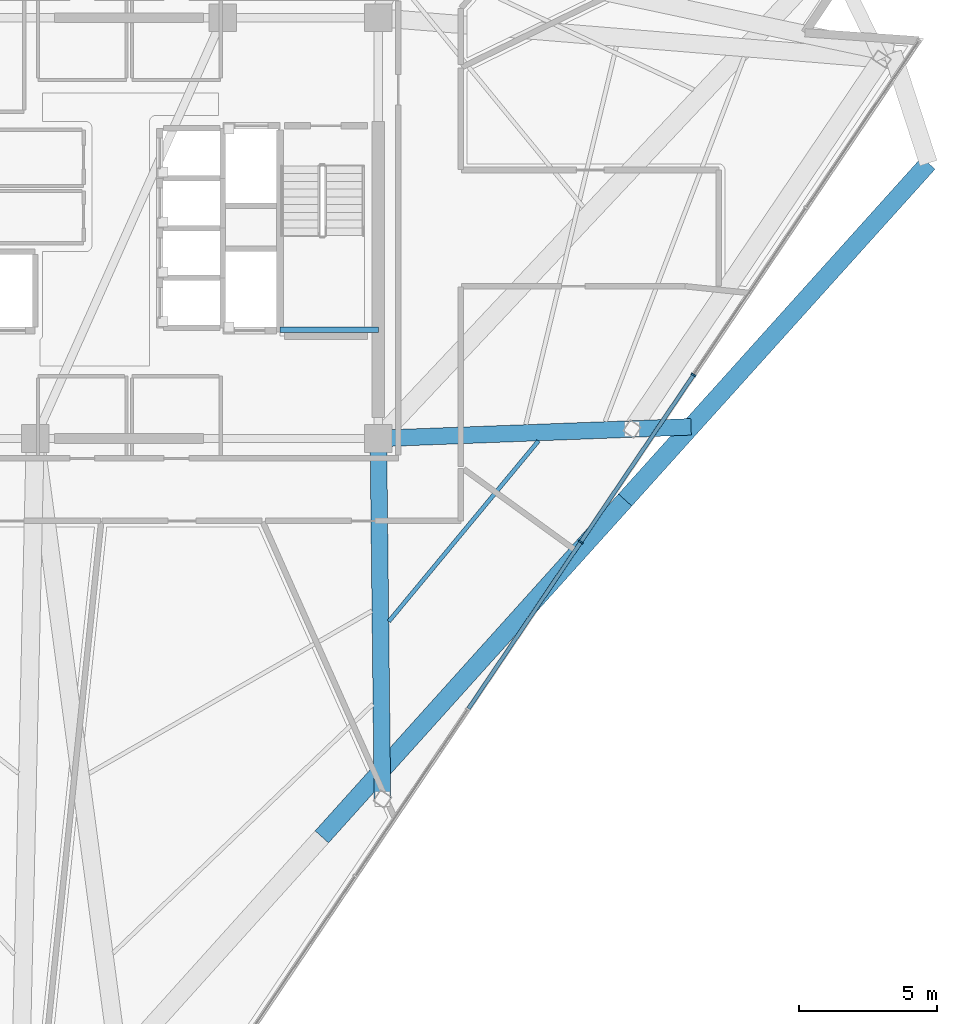
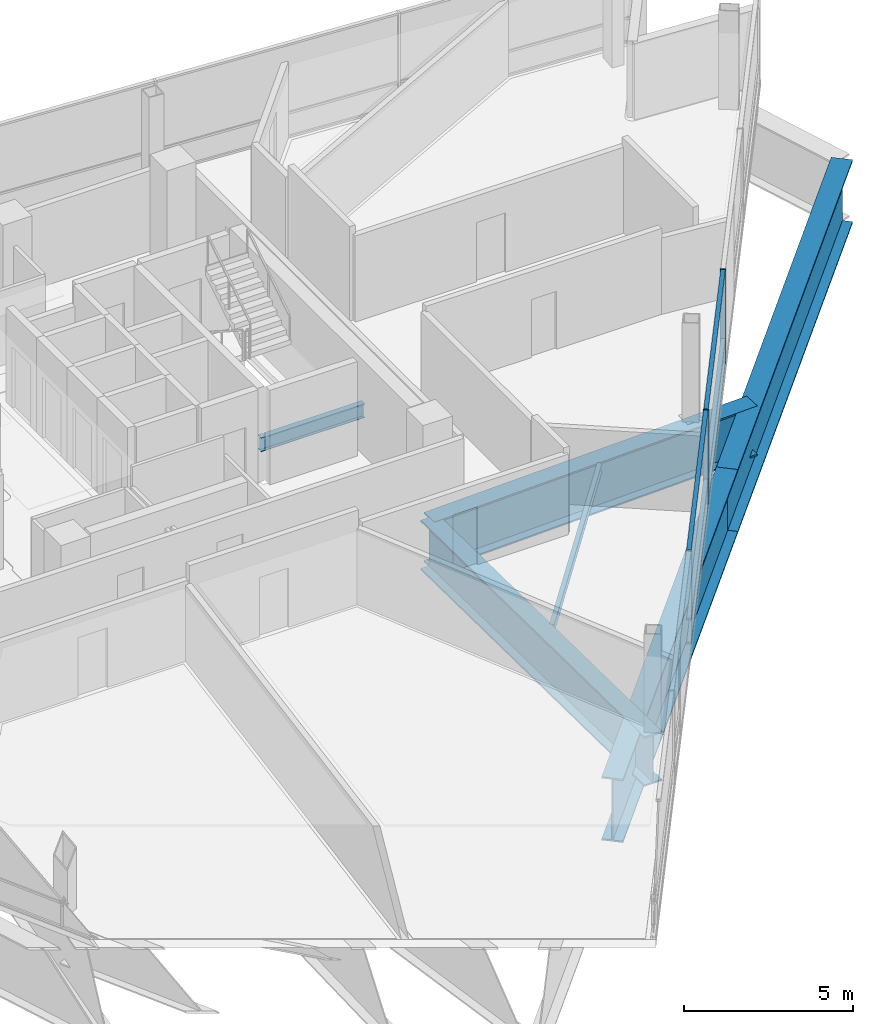
# One storey, part 4 of 14: 8 members, 6 beams, 1 element without a shape of its own.
"""IFC4 building model written with IfcOpenShell, lengths in metres."""

import ifcopenshell
import ifcopenshell.guid

model = None  # the IFC model being written
_history = None  # IfcOwnerHistory: only IFC2X3 demands one
_inside = {}  # id of a spatial element -> (the spatial element, [elements in it])
_under = {}  # id of a project, library or spatial element -> (it, [spatial elements below it])
_declared = {}  # id of a project -> (the project, [libraries it declares])
_typed = {}  # id of a type object -> (the type object, [elements of that type])
_made_of = {}  # id of a material, layer set ... -> (it, [elements and type objects made of it])


def new_model(schema):
    """Start an empty IFC model of exactly this schema.

    Asked for "IFC4X3", IfcOpenShell would pick the latest addendum, in which some entities
    have other attributes; the version numbers below select the first issue.
    IFC2X3 requires an IfcOwnerHistory on every rooted entity: one is made here for all.
    """
    global model, _history
    if schema == "IFC4X3":
        model = ifcopenshell.file(schema_version=(4, 3, 0, 0))
    else:
        model = ifcopenshell.file(schema=schema)
    _inside.clear()
    _under.clear()
    _declared.clear()
    _typed.clear()
    _made_of.clear()
    _history = None
    if model.schema == "IFC2X3":
        org = make("IfcOrganization", Name="unknown")
        user = make(
            "IfcPersonAndOrganization",
            ThePerson=make("IfcPerson", FamilyName="unknown"),
            TheOrganization=org,
        )
        app = make(
            "IfcApplication",
            ApplicationDeveloper=org,
            Version="unknown",
            ApplicationFullName="unknown",
            ApplicationIdentifier="unknown",
        )
        _history = make(
            "IfcOwnerHistory",
            OwningUser=user,
            OwningApplication=app,
            ChangeAction="ADDED",
            CreationDate=0,
        )
    return model


def make(cls, **values):
    """One entity of the class cls with the attributes given. An attribute that is None is left unset."""
    return model.create_entity(
        cls, **{name: value for name, value in values.items() if value is not None}
    )


def rooted(cls, **values):
    """An entity with a GlobalId (a new one), such as an element, a storey or a relation."""
    return make(cls, GlobalId=ifcopenshell.guid.new(), OwnerHistory=_history, **values)


def si_unit(unit_type, name, prefix=None):
    """IfcSIUnit, for example si_unit("LENGTHUNIT", "METRE", prefix="MILLI")."""
    return make("IfcSIUnit", UnitType=unit_type, Prefix=prefix, Name=name)


def assignment(units):
    """IfcUnitAssignment: the units of a project."""
    return None if units is None else make("IfcUnitAssignment", Units=units)


def point(xyz):
    """IfcCartesianPoint."""
    return None if xyz is None else make("IfcCartesianPoint", Coordinates=xyz)


def direction(xyz):
    """IfcDirection."""
    return None if xyz is None else make("IfcDirection", DirectionRatios=xyz)


def frame(location, z_axis=None, x_axis=None):
    """IfcAxis2Placement3D, a coordinate frame: its origin and axes. An axis left out is left unset."""
    return make(
        "IfcAxis2Placement3D",
        Location=point(location),
        Axis=direction(z_axis),
        RefDirection=direction(x_axis),
    )


def frame_2d(location, x_axis=None):
    """IfcAxis2Placement2D, a coordinate frame in the plane: its origin and x axis."""
    return make(
        "IfcAxis2Placement2D", Location=point(location), RefDirection=direction(x_axis)
    )


def origin():
    """The frame at (0, 0, 0) with its axes left unset."""
    return frame((0.0, 0.0, 0.0))


def origin_2d():
    """The frame at (0, 0) in the plane with its x axis left unset."""
    return frame_2d((0.0, 0.0))


def place(relative_to, where):
    """IfcLocalPlacement: puts the frame where relative to a parent placement (None: the world)."""
    return make(
        "IfcLocalPlacement", PlacementRelTo=relative_to, RelativePlacement=where
    )


def context(
    kind, dimensions, precision=None, world=None, true_north=None, identifier=None
):
    """IfcGeometricRepresentationContext, for example the 3D "Model" context."""
    return make(
        "IfcGeometricRepresentationContext",
        ContextIdentifier=identifier,
        ContextType=kind,
        CoordinateSpaceDimension=dimensions,
        Precision=precision,
        WorldCoordinateSystem=world,
        TrueNorth=true_north,
    )


def subcontext(parent, identifier, kind, view, scale=None):
    """IfcGeometricRepresentationSubContext, for example "Body" below "Model"."""
    return make(
        "IfcGeometricRepresentationSubContext",
        ContextIdentifier=identifier,
        ContextType=kind,
        ParentContext=parent,
        TargetScale=scale,
        TargetView=view,
    )


def project(units=None, contexts=None):
    """IfcProject with its units and contexts."""
    return rooted(
        "IfcProject",
        Name="project",
        RepresentationContexts=contexts,
        UnitsInContext=assignment(units),
    )


def spatial(cls, under=None, at=None, **own):
    """A site, building, storey or space (cls), placed at a placement, below another one or the project."""
    s = rooted(cls, ObjectPlacement=at, **own)
    if under is not None:
        _under.setdefault(under.id(), (under, []))[1].append(s)
    return s


def profile(cls, at=None, kind="AREA", **sizes):
    """A parametric profile (cls). Its sizes go by their IFC names, for example OverallWidth=200.0."""
    return make(cls, ProfileType=kind, Position=at, **sizes)


def rectangle(**sizes):
    """IfcRectangleProfileDef."""
    return profile("IfcRectangleProfileDef", **sizes)


def i_section(**sizes):
    """IfcIShapeProfileDef."""
    return profile("IfcIShapeProfileDef", **sizes)


def extrude(swept, where, along, depth):
    """IfcExtrudedAreaSolid: the profile swept, set in the frame where, extruded along a direction by depth."""
    return make(
        "IfcExtrudedAreaSolid",
        SweptArea=swept,
        Position=where,
        ExtrudedDirection=direction(along),
        Depth=depth,
    )


def shape(context_of_items, identifier, shape_type, items):
    """IfcShapeRepresentation: the items that make up one representation, for example the "Body"."""
    return make(
        "IfcShapeRepresentation",
        ContextOfItems=context_of_items,
        RepresentationIdentifier=identifier,
        RepresentationType=shape_type,
        Items=items,
    )


def material(Name=None, Category=None):
    """IfcMaterial."""
    return make("IfcMaterial", Name=Name, Category=Category)


def layer(
    of_material, thickness, ventilated=None, Name=None, Category=None, Priority=None
):
    """IfcMaterialLayer: one layer of a wall or slab, of a material (None: an air gap)."""
    return make(
        "IfcMaterialLayer",
        Material=of_material,
        LayerThickness=thickness,
        IsVentilated=ventilated,
        Name=Name,
        Category=Category,
        Priority=Priority,
    )


def layer_set(layers, Name=None):
    """IfcMaterialLayerSet."""
    return make("IfcMaterialLayerSet", MaterialLayers=layers, LayerSetName=Name)


def material_profile(
    of_material, cross_section, Name=None, Category=None, Priority=None
):
    """IfcMaterialProfile: a cross section and its material."""
    return make(
        "IfcMaterialProfile",
        Name=Name,
        Material=of_material,
        Profile=cross_section,
        Priority=Priority,
        Category=Category,
    )


def profile_set(profiles, Name=None, composite=None):
    """IfcMaterialProfileSet."""
    return make(
        "IfcMaterialProfileSet",
        Name=Name,
        MaterialProfiles=profiles,
        CompositeProfile=composite,
    )


def made_of(thing, what):
    """Note that an element or type object is made of a material, layer set ...; save() writes the relation."""
    if what is not None:
        _made_of.setdefault(what.id(), (what, []))[1].append(thing)
    return thing


def type_object(cls, material=None, **own):
    """A type object (cls), such as IfcWallType, which elements share."""
    return made_of(rooted(cls, **own), material)


def element(
    cls,
    number,
    at=None,
    inside=None,
    cuts=None,
    type_object=None,
    material=None,
    context=None,
    identifier="Body",
    shape_type=None,
    held_by="IfcProductDefinitionShape",
    body=None,
    shapes=None,
    **own,
):
    """One element of the class cls, such as IfcWall. Its Tag is "e" and its number.

    at: its placement. inside: the storey or other place that contains it. cuts: it is an
    opening in that element (IfcRelVoidsElement). A single representation is given by context,
    identifier, shape_type and body (its items); several are given by shapes. held_by: the class
    of the entity that holds the representations. save() writes the other relations.
    """
    e = rooted(cls, Tag="e%d" % number, ObjectPlacement=at, **own)
    if body is not None:
        shapes = [shape(context, identifier, shape_type, body)]
    if shapes is not None:
        e.Representation = make(held_by, Representations=shapes)
    if inside is not None:
        _inside.setdefault(inside.id(), (inside, []))[1].append(e)
    if cuts is not None:
        rooted(
            "IfcRelVoidsElement", RelatingBuildingElement=cuts, RelatedOpeningElement=e
        )
    if type_object is not None:
        _typed.setdefault(type_object.id(), (type_object, []))[1].append(e)
    return made_of(e, material)


def aggregate(whole, parts):
    """IfcRelAggregates: a whole, such as a stair, and the parts it consists of."""
    return rooted("IfcRelAggregates", RelatingObject=whole, RelatedObjects=parts)


def save(model, path):
    """Write the relations noted so far, then the file.

    IfcRelAggregates (storeys below a building ...), IfcRelContainedInSpatialStructure (elements
    in a storey), IfcRelDefinesByType, IfcRelAssociatesMaterial and IfcRelDeclares: one each for
    every whole, place, type object, material and project.
    """
    for whole, parts in _under.values():
        aggregate(whole, parts)
    for where, things in _inside.values():
        rooted(
            "IfcRelContainedInSpatialStructure",
            RelatedElements=things,
            RelatingStructure=where,
        )
    for kind, things in _typed.values():
        rooted("IfcRelDefinesByType", RelatedObjects=things, RelatingType=kind)
    for what, things in _made_of.values():
        rooted("IfcRelAssociatesMaterial", RelatedObjects=things, RelatingMaterial=what)
    for by, libraries in _declared.values():
        rooted("IfcRelDeclares", RelatingContext=by, RelatedDefinitions=libraries)
    model.write(path)


model = new_model("IFC4")

# Units and contexts
model_context = context("Model", 3, precision=1e-05, world=origin(), true_north=direction((0.0, 1.0)))
body_context = subcontext(model_context, "Body", "Model", "MODEL_VIEW")
ifc_project = project(units=[si_unit("LENGTHUNIT", "METRE"), si_unit("AREAUNIT", "SQUARE_METRE"), si_unit("VOLUMEUNIT", "CUBIC_METRE"), si_unit("PLANEANGLEUNIT", "RADIAN"), si_unit("MASSUNIT", "GRAM", prefix="KILO")], contexts=[model_context])

# Site, building, storey
site_placement = place(None, origin())
site = spatial("IfcSite", under=ifc_project, at=site_placement, CompositionType="ELEMENT")
building_placement = place(site_placement, origin())
building = spatial("IfcBuilding", under=site, at=building_placement, Name="Tharavind Bronze Gate", CompositionType="ELEMENT")
storey_placement = place(building_placement, frame((0.0, 0.0, 227.050048828125)))
storey = spatial("IfcBuildingStorey", under=building, at=storey_placement, Name="L58", CompositionType="ELEMENT", Elevation=227.050048828125)

# Curtain wall, members
ifc_material_1 = material(Name="Anodised Bronze Aluminium", Category="aluminium")
ifc_layer = layer(ifc_material_1, 0.219970703125)
ifc_layer_set = layer_set([ifc_layer], Name="Anodised Bronze Aluminium")
curtain_wall_type = type_object("IfcCurtainWallType", Name="UNITISED CURTAIN WALL UPPER OFFICE", PredefinedType="USERDEFINED", material=ifc_layer_set)
curtain_wall_placement = place(storey_placement, origin())
curtain_wall = element("IfcCurtainWall", 1, at=curtain_wall_placement, inside=storey, type_object=curtain_wall_type, Name="L58 unitised curtain wall upper office CW-L58-S2", ObjectType="UNITISED CURTAIN WALL", PredefinedType="USERDEFINED")
member_type_1 = type_object("IfcMemberType", Name="CURTAIN WALL BRONZE MULLION 65X180", PredefinedType="MULLION", material=ifc_material_1)
member_1_placement = place(storey_placement, frame((16.212890625, -11.34326171875, 0.0), z_axis=(0.0, 0.0, 1.0), x_axis=(0.559192903471, 0.829037572555, 0.0)))
member_1 = element("IfcMember", 2, at=member_1_placement, type_object=member_type_1, Name="CW-L58-S2 mullion 5", PredefinedType="MULLION", context=body_context, shape_type="SweptSolid", body=[
    extrude(rectangle(XDim=0.06494140625, YDim=0.179931640625, at=origin_2d()), origin(), (0.0, 0.0, 1.0), 3.419921875),
])
member_2_placement = place(storey_placement, frame((20.285400390625, -5.305419921875, 0.0), z_axis=(0.0, 0.0, 1.0), x_axis=(0.559192903471, 0.829037572555, 0.0)))
member_2 = element("IfcMember", 3, at=member_2_placement, type_object=member_type_1, Name="CW-L58-S2 mullion 6", PredefinedType="MULLION", context=body_context, shape_type="SweptSolid", body=[
    extrude(rectangle(XDim=0.06494140625, YDim=0.179931640625, at=origin_2d()), origin(), (0.0, 0.0, 1.0), 3.419921875),
])
member_type_2 = type_object("IfcMemberType", Name="CURTAIN WALL BRONZE TRANSOM 65X140", PredefinedType="USERDEFINED", material=ifc_material_1)
member_3_placement = place(storey_placement, frame((14.176513671875, -14.3623046875, 0.0), z_axis=(0.0, 0.0, 1.0), x_axis=(0.559192903471, 0.829037572555, 0.0)))
member_3 = element("IfcMember", 4, at=member_3_placement, type_object=member_type_2, Name="CW-L58-S2 transom TB4", ObjectType="TRANSOM", PredefinedType="USERDEFINED", context=body_context, shape_type="SweptSolid", body=[
    extrude(rectangle(XDim=7.22998046875, YDim=0.139892578125, at=origin_2d()), origin(), (0.0, 0.0, 1.0), 0.06494140625),
])
member_4_placement = place(storey_placement, frame((14.176513671875, -14.3623046875, 0.867431640625), z_axis=(0.0, 0.0, 1.0), x_axis=(0.559192903471, 0.829037572555, 0.0)))
member_4 = element("IfcMember", 5, at=member_4_placement, type_object=member_type_2, Name="CW-L58-S2 transom TS4", ObjectType="TRANSOM", PredefinedType="USERDEFINED", context=body_context, shape_type="SweptSolid", body=[
    extrude(rectangle(XDim=7.22998046875, YDim=0.139892578125, at=origin_2d()), origin(), (0.0, 0.0, 1.0), 0.06494140625),
])
member_5_placement = place(storey_placement, frame((14.176513671875, -14.3623046875, 3.35498046875), z_axis=(0.0, 0.0, 1.0), x_axis=(0.559192903471, 0.829037572555, 0.0)))
member_5 = element("IfcMember", 6, at=member_5_placement, type_object=member_type_2, Name="CW-L58-S2 transom TT4", ObjectType="TRANSOM", PredefinedType="USERDEFINED", context=body_context, shape_type="SweptSolid", body=[
    extrude(rectangle(XDim=7.22998046875, YDim=0.139892578125, at=origin_2d()), origin(), (0.0, 0.0, 1.0), 0.06494140625),
])
member_6_placement = place(storey_placement, frame((18.2490234375, -8.324462890625, 0.0), z_axis=(0.0, 0.0, 1.0), x_axis=(0.559192903471, 0.829037572555, 0.0)))
member_6 = element("IfcMember", 7, at=member_6_placement, type_object=member_type_2, Name="CW-L58-S2 transom TB5", ObjectType="TRANSOM", PredefinedType="USERDEFINED", context=body_context, shape_type="SweptSolid", body=[
    extrude(rectangle(XDim=7.22998046875, YDim=0.139892578125, at=origin_2d()), origin(), (0.0, 0.0, 1.0), 0.06494140625),
])
member_7_placement = place(storey_placement, frame((18.2490234375, -8.324462890625, 0.867431640625), z_axis=(0.0, 0.0, 1.0), x_axis=(0.559192903471, 0.829037572555, 0.0)))
member_7 = element("IfcMember", 8, at=member_7_placement, type_object=member_type_2, Name="CW-L58-S2 transom TS5", ObjectType="TRANSOM", PredefinedType="USERDEFINED", context=body_context, shape_type="SweptSolid", body=[
    extrude(rectangle(XDim=7.22998046875, YDim=0.139892578125, at=origin_2d()), origin(), (0.0, 0.0, 1.0), 0.06494140625),
])
member_8_placement = place(storey_placement, frame((18.2490234375, -8.324462890625, 3.35498046875), z_axis=(0.0, 0.0, 1.0), x_axis=(0.559192903471, 0.829037572555, 0.0)))
member_8 = element("IfcMember", 9, at=member_8_placement, type_object=member_type_2, Name="CW-L58-S2 transom TT5", ObjectType="TRANSOM", PredefinedType="USERDEFINED", context=body_context, shape_type="SweptSolid", body=[
    extrude(rectangle(XDim=7.22998046875, YDim=0.139892578125, at=origin_2d()), origin(), (0.0, 0.0, 1.0), 0.06494140625),
])
aggregate(curtain_wall, [member_1, member_2, member_3, member_4, member_5, member_6, member_7, member_8])

# Beams
ifc_material_2 = material(Name="Steel S355", Category="steel")
ifc_material_profile_1 = material_profile(ifc_material_2, i_section(OverallWidth=0.199951171875, OverallDepth=0.5, WebThickness=0.01025390625, FlangeThickness=0.01611328125, at=origin_2d()), Name="IPE500")
ifc_profile_set_1 = profile_set([ifc_material_profile_1], Name="Steel S355")
beam_type_1 = type_object("IfcBeamType", Name="PRIMARY GIRDER IPE500", PredefinedType="USERDEFINED", material=ifc_profile_set_1)
beam_1_placement = place(storey_placement, frame((5.35009765625, -3.679931640625, 1.349853515625), z_axis=(1.0, 0.0, 0.0), x_axis=(0.0, 1.0, 0.0)))
element("IfcBeam", 10, at=beam_1_placement, inside=storey, type_object=beam_type_1, Name="L58 primary girder ipe500 BM-LD-ST2-L58-1", ObjectType="GIRDER", PredefinedType="USERDEFINED", context=body_context, shape_type="SweptSolid", body=[
    extrude(i_section(OverallWidth=0.199951171875, OverallDepth=0.5, WebThickness=0.01025390625, FlangeThickness=0.01611328125, at=origin_2d()), origin(), (0.0, 0.0, 1.0), 3.5498046875),
])
ifc_material_profile_2 = material_profile(ifc_material_2, i_section(OverallWidth=0.14990234375, OverallDepth=0.300048828125, WebThickness=0.007080078125, FlangeThickness=0.0107421875, at=origin_2d()), Name="IPE300")
ifc_profile_set_2 = profile_set([ifc_material_profile_2], Name="Steel S355")
beam_type_2 = type_object("IfcBeamType", Name="SECONDARY FLOOR JOIST IPE300", PredefinedType="JOIST", material=ifc_profile_set_2)
beam_2_placement = place(storey_placement, frame((9.276611328125, -14.209716796875, -0.340087890625), z_axis=(0.638238000896, 0.769839109303, 0.0), x_axis=(-0.769839109303, 0.638238000896, 0.0)))
element("IfcBeam", 11, at=beam_2_placement, inside=storey, type_object=beam_type_2, Name="L58 secondary floor joist ipe300 BM-L58-JSTA06", PredefinedType="JOIST", context=body_context, shape_type="SweptSolid", body=[
    extrude(i_section(OverallWidth=0.14990234375, OverallDepth=0.300048828125, WebThickness=0.007080078125, FlangeThickness=0.0107421875, at=origin_2d()), origin(), (0.0, 0.0, 1.0), 8.472412109375),
])
ifc_material_3 = material(Name="Steel S460", Category="steel")
ifc_material_profile_3 = material_profile(ifc_material_3, i_section(OverallWidth=0.60009765625, OverallDepth=1.800048828125, WebThickness=0.031982421875, FlangeThickness=0.054931640625, at=origin_2d()), Name="PG1800X600")
ifc_profile_set_3 = profile_set([ifc_material_profile_3], Name="Steel S460")
beam_type_3 = type_object("IfcBeamType", Name="TRANSFER GIRDER 1800X600", PredefinedType="USERDEFINED", material=ifc_profile_set_3)
beam_3_placement = place(storey_placement, frame((8.89990234375, -7.60009765625, -1.090087890625), z_axis=(0.01118724612, -0.999937420804, 0.0), x_axis=(0.999937420804, 0.01118724612, 0.0)))
element("IfcBeam", 12, at=beam_3_placement, inside=storey, type_object=beam_type_3, Name="L58 transfer girder 1800x600 BM-L58-XFR06", ObjectType="TRANSFER GIRDER", PredefinedType="USERDEFINED", context=body_context, shape_type="SweptSolid", body=[
    extrude(i_section(OverallWidth=0.60009765625, OverallDepth=1.800048828125, WebThickness=0.031982421875, FlangeThickness=0.054931640625, at=origin_2d()), origin(), (0.0, 0.0, 1.0), 13.0283203125),
])
beam_4_placement = place(storey_placement, frame((8.89990234375, -7.60009765625, -1.090087890625), z_axis=(0.99930256062, 0.037341563158, 0.0), x_axis=(-0.037341563158, 0.99930256062, 0.0)))
element("IfcBeam", 13, at=beam_4_placement, inside=storey, type_object=beam_type_3, Name="L58 transfer girder 1800x600 BM-L58-XFR07", ObjectType="TRANSFER GIRDER", PredefinedType="USERDEFINED", context=body_context, shape_type="SweptSolid", body=[
    extrude(i_section(OverallWidth=0.60009765625, OverallDepth=1.800048828125, WebThickness=0.031982421875, FlangeThickness=0.054931640625, at=origin_2d()), origin(), (0.0, 0.0, 1.0), 11.30419921875),
])
ifc_material_profile_4 = material_profile(ifc_material_3, i_section(OverallWidth=0.64990234375, OverallDepth=2.300048828125, WebThickness=0.035888671875, FlangeThickness=0.05810546875, at=origin_2d()), Name="PG2300X650")
ifc_profile_set_4 = profile_set([ifc_material_profile_4], Name="Steel S460")
beam_type_4 = type_object("IfcBeamType", Name="TRANSFER GIRDER 2300X650", PredefinedType="USERDEFINED", material=ifc_profile_set_4)
for number, where, z_axis, x_axis, name in (
    (14, (6.857421875, -21.992431640625, -1.340087890625), (0.669135213786, 0.743140676906, 0.0), (-0.743140676906, 0.669135213786, 0.0), "L58 transfer girder 2300x650 BM-L58-LRG06"),
    (15, (17.815185546875, -9.82275390625, -1.340087890625), (0.669119566961, 0.743154765248, 0.0), (-0.743154765248, 0.669119566961, 0.0), "L58 transfer girder 2300x650 BM-L58-LRG07"),
):
    element("IfcBeam", number, at=place(storey_placement, frame(where, z_axis=z_axis, x_axis=x_axis)), inside=storey, type_object=beam_type_4, Name=name, ObjectType="TRANSFER GIRDER", PredefinedType="USERDEFINED", context=body_context, shape_type="SweptSolid", body=[
        extrude(i_section(OverallWidth=0.64990234375, OverallDepth=2.300048828125, WebThickness=0.035888671875, FlangeThickness=0.05810546875, at=origin_2d()), origin(), (0.0, 0.0, 1.0), 16.3759765625),
    ])

save(model, "model.ifc")
